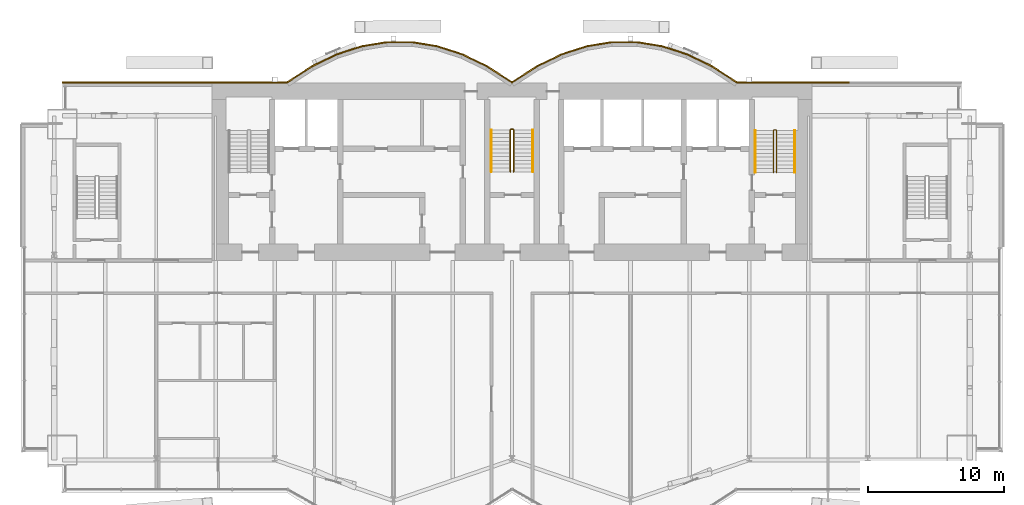
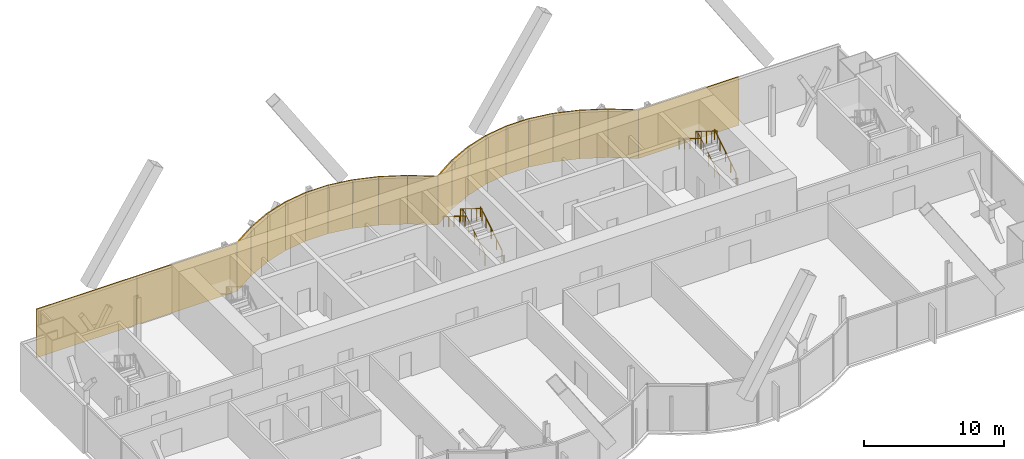
# One storey, part 19 of 20: 21 coverings, 6 railings.
"""IFC4 building model written with IfcOpenShell, lengths in metres."""

from ifc_helpers import new_model, si_unit, direction, frame, origin, origin_2d, place, context, subcontext, project, spatial, rectangle, circle, extrude, material, layer, layer_set, type_object, element, save


model = new_model("IFC4")

# Units and contexts
model_context = context("Model", 3, precision=1e-05, world=origin(), true_north=direction((0.0, 1.0)))
body_context = subcontext(model_context, "Body", "Model", "MODEL_VIEW")
ifc_project = project(units=[si_unit("LENGTHUNIT", "METRE"), si_unit("AREAUNIT", "SQUARE_METRE"), si_unit("VOLUMEUNIT", "CUBIC_METRE"), si_unit("PLANEANGLEUNIT", "RADIAN"), si_unit("MASSUNIT", "GRAM", prefix="KILO")], contexts=[model_context])

# Site, building, storey
site_placement = place(None, origin())
site = spatial("IfcSite", under=ifc_project, at=site_placement, CompositionType="ELEMENT")
building_placement = place(site_placement, origin())
building = spatial("IfcBuilding", under=site, at=building_placement, Name="Bicima Exchange Tower", CompositionType="ELEMENT")
storey_placement = place(building_placement, frame((0.0, 0.0, 245.60009765625)))
storey = spatial("IfcBuildingStorey", under=building, at=storey_placement, Name="L55", CompositionType="ELEMENT", Elevation=245.60009765625)

# Coverings
ifc_material_1 = material(Name="Bronze metal cladding")
ifc_layer_1 = layer(ifc_material_1, 0.004)
ifc_material_2 = material(Name="Ventilated cavity")
ifc_layer_2 = layer(ifc_material_2, 0.06)
ifc_material_3 = material(Name="Galvanised steel rail and mineral wool", Category="steel")
ifc_layer_3 = layer(ifc_material_3, 0.036)
ifc_layer_set = layer_set([ifc_layer_1, ifc_layer_2, ifc_layer_3], Name="Ventilated cavity")
covering_type = type_object("IfcCoveringType", Name="Bronze metal cladding panel 100", PredefinedType="CLADDING", material=ifc_layer_set)
covering_1_placement = place(storey_placement, frame((20.625, 0.050048828125, -0.14990234375), z_axis=(0.0, 0.0, 1.0), x_axis=(-1.0, 0.0, 0.0)))
element("IfcCovering", 1, at=covering_1_placement, inside=storey, type_object=covering_type, Name="Bronze cladding L55 1.2", PredefinedType="CLADDING", context=body_context, shape_type="SweptSolid", body=[
    extrude(rectangle(XDim=8.25, YDim=0.10009765625, at=origin_2d()), origin(), (0.0, 0.0, 1.0), 4.199951171875),
])
covering_2_placement = place(storey_placement, frame((15.610595703125, 0.634521484375, -0.14990234375), z_axis=(0.0, 0.0, 1.0), x_axis=(-0.839790466384, 0.542910648791, 0.0)))
element("IfcCovering", 2, at=covering_2_placement, inside=storey, type_object=covering_type, Name="Bronze cladding L55 2.1", PredefinedType="CLADDING", context=body_context, shape_type="SweptSolid", body=[
    extrude(rectangle(XDim=2.18310546875, YDim=0.10009765625, at=origin_2d()), origin(), (0.0, 0.0, 1.0), 4.199951171875),
])
covering_3_placement = place(storey_placement, frame((13.771728515625, 1.674560546875, -0.14990234375), z_axis=(0.0, 0.0, 1.0), x_axis=(-0.899818346812, 0.436264762204, 0.0)))
element("IfcCovering", 3, at=covering_3_placement, inside=storey, type_object=covering_type, Name="Bronze cladding L55 3.1", PredefinedType="CLADDING", context=body_context, shape_type="SweptSolid", body=[
    extrude(rectangle(XDim=2.03759765625, YDim=0.10009765625, at=origin_2d()), origin(), (0.0, 0.0, 1.0), 4.199951171875),
])
covering_4_placement = place(storey_placement, frame((11.931884765625, 2.41796875, -0.14990234375), z_axis=(0.0, 0.0, 1.0), x_axis=(-0.951524642381, 0.307572519808, 0.0)))
element("IfcCovering", 4, at=covering_4_placement, inside=storey, type_object=covering_type, Name="Bronze cladding L55 4.1", PredefinedType="CLADDING", context=body_context, shape_type="SweptSolid", body=[
    extrude(rectangle(XDim=1.9267578125, YDim=0.10009765625, at=origin_2d()), origin(), (0.0, 0.0, 1.0), 4.199951171875),
])
covering_5_placement = place(storey_placement, frame((10.09130859375, 2.8642578125, -0.14990234375), z_axis=(0.0, 0.0, 1.0), x_axis=(-0.987189786347, 0.159550386184, 0.0)))
element("IfcCovering", 5, at=covering_5_placement, inside=storey, type_object=covering_type, Name="Bronze cladding L55 5.1", PredefinedType="CLADDING", context=body_context, shape_type="SweptSolid", body=[
    extrude(rectangle(XDim=1.857177734375, YDim=0.10009765625, at=origin_2d()), origin(), (0.0, 0.0, 1.0), 4.199951171875),
])
covering_6_placement = place(storey_placement, frame((8.25, 3.012939453125, -0.14990234375), z_axis=(0.0, 0.0, 1.0), x_axis=(-1.0, 0.0, 0.0)))
element("IfcCovering", 6, at=covering_6_placement, inside=storey, type_object=covering_type, Name="Bronze cladding L55 6.1", PredefinedType="CLADDING", context=body_context, shape_type="SweptSolid", body=[
    extrude(rectangle(XDim=1.83349609375, YDim=0.10009765625, at=origin_2d()), origin(), (0.0, 0.0, 1.0), 4.199951171875),
])
covering_7_placement = place(storey_placement, frame((6.40869140625, 2.8642578125, -0.14990234375), z_axis=(0.0, 0.0, 1.0), x_axis=(-0.987189786347, -0.159550386184, 0.0)))
element("IfcCovering", 7, at=covering_7_placement, inside=storey, type_object=covering_type, Name="Bronze cladding L55 7.1", PredefinedType="CLADDING", context=body_context, shape_type="SweptSolid", body=[
    extrude(rectangle(XDim=1.857177734375, YDim=0.10009765625, at=origin_2d()), origin(), (0.0, 0.0, 1.0), 4.199951171875),
])
covering_8_placement = place(storey_placement, frame((4.568115234375, 2.41796875, -0.14990234375), z_axis=(0.0, 0.0, 1.0), x_axis=(-0.951524642381, -0.307572519808, 0.0)))
element("IfcCovering", 8, at=covering_8_placement, inside=storey, type_object=covering_type, Name="Bronze cladding L55 8.1", PredefinedType="CLADDING", context=body_context, shape_type="SweptSolid", body=[
    extrude(rectangle(XDim=1.9267578125, YDim=0.10009765625, at=origin_2d()), origin(), (0.0, 0.0, 1.0), 4.199951171875),
])
covering_9_placement = place(storey_placement, frame((2.728271484375, 1.674560546875, -0.14990234375), z_axis=(0.0, 0.0, 1.0), x_axis=(-0.899818346812, -0.436264762204, 0.0)))
element("IfcCovering", 9, at=covering_9_placement, inside=storey, type_object=covering_type, Name="Bronze cladding L55 9.1", PredefinedType="CLADDING", context=body_context, shape_type="SweptSolid", body=[
    extrude(rectangle(XDim=2.03759765625, YDim=0.10009765625, at=origin_2d()), origin(), (0.0, 0.0, 1.0), 4.199951171875),
])
for number, where, z_axis, x_axis, name in (
    (10, (0.889404296875, 0.634521484375, -0.14990234375), (0.0, 0.0, 1.0), (-0.839790466384, -0.542910648791, 0.0), "Bronze cladding L55 10.1"),
    (11, (-0.889404296875, 0.634521484375, -0.14990234375), (0.0, 0.0, 1.0), (-0.839790466384, 0.542910648791, 0.0), "Bronze cladding L55 11.1"),
):
    element("IfcCovering", number, at=place(storey_placement, frame(where, z_axis=z_axis, x_axis=x_axis)), inside=storey, type_object=covering_type, Name=name, PredefinedType="CLADDING", context=body_context, shape_type="SweptSolid", body=[
        extrude(rectangle(XDim=2.18310546875, YDim=0.10009765625, at=origin_2d()), origin(), (0.0, 0.0, 1.0), 4.199951171875),
    ])
covering_10_placement = place(storey_placement, frame((-2.728271484375, 1.674560546875, -0.14990234375), z_axis=(0.0, 0.0, 1.0), x_axis=(-0.899818346812, 0.436264762204, 0.0)))
element("IfcCovering", 12, at=covering_10_placement, inside=storey, type_object=covering_type, Name="Bronze cladding L55 12.1", PredefinedType="CLADDING", context=body_context, shape_type="SweptSolid", body=[
    extrude(rectangle(XDim=2.03759765625, YDim=0.10009765625, at=origin_2d()), origin(), (0.0, 0.0, 1.0), 4.199951171875),
])
covering_11_placement = place(storey_placement, frame((-4.568115234375, 2.41796875, -0.14990234375), z_axis=(0.0, 0.0, 1.0), x_axis=(-0.951524642381, 0.307572519808, 0.0)))
element("IfcCovering", 13, at=covering_11_placement, inside=storey, type_object=covering_type, Name="Bronze cladding L55 13.1", PredefinedType="CLADDING", context=body_context, shape_type="SweptSolid", body=[
    extrude(rectangle(XDim=1.9267578125, YDim=0.10009765625, at=origin_2d()), origin(), (0.0, 0.0, 1.0), 4.199951171875),
])
covering_12_placement = place(storey_placement, frame((-6.40869140625, 2.8642578125, -0.14990234375), z_axis=(0.0, 0.0, 1.0), x_axis=(-0.987189786347, 0.159550386184, 0.0)))
element("IfcCovering", 14, at=covering_12_placement, inside=storey, type_object=covering_type, Name="Bronze cladding L55 14.1", PredefinedType="CLADDING", context=body_context, shape_type="SweptSolid", body=[
    extrude(rectangle(XDim=1.857177734375, YDim=0.10009765625, at=origin_2d()), origin(), (0.0, 0.0, 1.0), 4.199951171875),
])
covering_13_placement = place(storey_placement, frame((-8.25, 3.012939453125, -0.14990234375), z_axis=(0.0, 0.0, 1.0), x_axis=(-1.0, 0.0, 0.0)))
element("IfcCovering", 15, at=covering_13_placement, inside=storey, type_object=covering_type, Name="Bronze cladding L55 15.1", PredefinedType="CLADDING", context=body_context, shape_type="SweptSolid", body=[
    extrude(rectangle(XDim=1.83349609375, YDim=0.10009765625, at=origin_2d()), origin(), (0.0, 0.0, 1.0), 4.199951171875),
])
covering_14_placement = place(storey_placement, frame((-10.09130859375, 2.8642578125, -0.14990234375), z_axis=(0.0, 0.0, 1.0), x_axis=(-0.987189786347, -0.159550386184, 0.0)))
element("IfcCovering", 16, at=covering_14_placement, inside=storey, type_object=covering_type, Name="Bronze cladding L55 16.1", PredefinedType="CLADDING", context=body_context, shape_type="SweptSolid", body=[
    extrude(rectangle(XDim=1.857177734375, YDim=0.10009765625, at=origin_2d()), origin(), (0.0, 0.0, 1.0), 4.199951171875),
])
covering_15_placement = place(storey_placement, frame((-11.931884765625, 2.41796875, -0.14990234375), z_axis=(0.0, 0.0, 1.0), x_axis=(-0.951524642381, -0.307572519808, 0.0)))
element("IfcCovering", 17, at=covering_15_placement, inside=storey, type_object=covering_type, Name="Bronze cladding L55 17.1", PredefinedType="CLADDING", context=body_context, shape_type="SweptSolid", body=[
    extrude(rectangle(XDim=1.9267578125, YDim=0.10009765625, at=origin_2d()), origin(), (0.0, 0.0, 1.0), 4.199951171875),
])
covering_16_placement = place(storey_placement, frame((-13.771728515625, 1.674560546875, -0.14990234375), z_axis=(0.0, 0.0, 1.0), x_axis=(-0.899818346812, -0.436264762204, 0.0)))
element("IfcCovering", 18, at=covering_16_placement, inside=storey, type_object=covering_type, Name="Bronze cladding L55 18.1", PredefinedType="CLADDING", context=body_context, shape_type="SweptSolid", body=[
    extrude(rectangle(XDim=2.03759765625, YDim=0.10009765625, at=origin_2d()), origin(), (0.0, 0.0, 1.0), 4.199951171875),
])
covering_17_placement = place(storey_placement, frame((-15.610595703125, 0.634521484375, -0.14990234375), z_axis=(0.0, 0.0, 1.0), x_axis=(-0.839790466384, -0.542910648791, 0.0)))
element("IfcCovering", 19, at=covering_17_placement, inside=storey, type_object=covering_type, Name="Bronze cladding L55 19.1", PredefinedType="CLADDING", context=body_context, shape_type="SweptSolid", body=[
    extrude(rectangle(XDim=2.18310546875, YDim=0.10009765625, at=origin_2d()), origin(), (0.0, 0.0, 1.0), 4.199951171875),
])
for number, where, z_axis, x_axis, name in (
    (20, (-20.625, 0.050048828125, -0.14990234375), (0.0, 0.0, 1.0), (-1.0, 0.0, 0.0), "Bronze cladding L55 20.1"),
    (21, (-28.875, 0.050048828125, -0.14990234375), (0.0, 0.0, 1.0), (-1.0, 0.0, 0.0), "Bronze cladding L55 20.2"),
):
    element("IfcCovering", number, at=place(storey_placement, frame(where, z_axis=z_axis, x_axis=x_axis)), inside=storey, type_object=covering_type, Name=name, PredefinedType="CLADDING", context=body_context, shape_type="SweptSolid", body=[
        extrude(rectangle(XDim=8.25, YDim=0.10009765625, at=origin_2d()), origin(), (0.0, 0.0, 1.0), 4.199951171875),
    ])

# Railings
ifc_material_4 = material(Name="Stainless steel", Category="steel")
railing_type_1 = type_object("IfcRailingType", Name="Stair guard 1100", PredefinedType="GUARDRAIL", material=ifc_material_4)
railing_1_placement = place(storey_placement, frame((0.125, -6.5, 0.1748046875)))
element("IfcRailing", 22, at=railing_1_placement, inside=storey, type_object=railing_type_1, Name="L55 ST-C stair guard 1", PredefinedType="GUARDRAIL", context=body_context, shape_type="SweptSolid", body=[
    extrude(circle(Radius=0.02392578125, at=origin_2d()), frame((0.0, 0.0, 1.076171875), z_axis=(0.0, 0.847998304005, 0.529998940003), x_axis=(-1.0, 0.0, 0.0)), (0.0, 0.0, 1.0), 3.632080078125),
    extrude(circle(Radius=0.02392578125, at=origin_2d()), frame((0.0, 3.080078125, 3.0009765625), z_axis=(-0.708833529934, 0.705375805398, 0.0), x_axis=(-0.705375805398, -0.708833529934, 0.0)), (0.0, 0.0, 1.0), 0.070556640625),
    extrude(circle(Radius=0.02392578125, at=origin_2d()), frame((-0.050048828125, 3.1298828125, 3.0009765625), z_axis=(-1.0, 0.0, 0.0), x_axis=(0.0, -1.0, 0.0)), (0.0, 0.0, 1.0), 0.14990234375),
    extrude(circle(Radius=0.02392578125, at=origin_2d()), frame((-0.199951171875, 3.1298828125, 3.0009765625), z_axis=(-0.265155923931, -0.263862480399, 0.927399011991), x_axis=(0.705375805398, -0.708833529934, 0.0)), (0.0, 0.0, 1.0), 0.188720703125),
    extrude(circle(Radius=0.02392578125, at=origin_2d()), frame((-0.25, 3.080078125, 3.17626953125), z_axis=(0.0, -0.847998304005, 0.529998940003), x_axis=(1.0, 0.0, 0.0)), (0.0, 0.0, 1.0), 3.632080078125),
    extrude(circle(Radius=0.02099609375, at=origin_2d()), origin(), (0.0, 0.0, 1.0), 1.052001953125),
    extrude(circle(Radius=0.02099609375, at=origin_2d()), frame((0.0, 0.77001953125, 0.481201171875)), (0.0, 0.0, 1.0), 1.052001953125),
    extrude(circle(Radius=0.02099609375, at=origin_2d()), frame((0.0, 1.5400390625, 0.96240234375)), (0.0, 0.0, 1.0), 1.052001953125),
    extrude(circle(Radius=0.02099609375, at=origin_2d()), frame((0.0, 2.31005859375, 1.44384765625)), (0.0, 0.0, 1.0), 1.052001953125),
    extrude(circle(Radius=0.02099609375, at=origin_2d()), frame((0.0, 3.080078125, 1.925048828125)), (0.0, 0.0, 1.0), 1.052001953125),
    extrude(circle(Radius=0.02099609375, at=origin_2d()), frame((-0.050048828125, 3.1298828125, 1.925048828125)), (0.0, 0.0, 1.0), 1.052001953125),
    extrude(circle(Radius=0.02099609375, at=origin_2d()), frame((-0.199951171875, 3.1298828125, 1.925048828125)), (0.0, 0.0, 1.0), 1.052001953125),
    extrude(circle(Radius=0.02099609375, at=origin_2d()), frame((-0.25, 3.080078125, 2.10009765625)), (0.0, 0.0, 1.0), 1.052001953125),
    extrude(circle(Radius=0.02099609375, at=origin_2d()), frame((-0.25, 2.31005859375, 2.581298828125)), (0.0, 0.0, 1.0), 1.052001953125),
    extrude(circle(Radius=0.02099609375, at=origin_2d()), frame((-0.25, 1.5400390625, 3.0625)), (0.0, 0.0, 1.0), 1.052001953125),
    extrude(circle(Radius=0.02099609375, at=origin_2d()), frame((-0.25, 0.77001953125, 3.5439453125)), (0.0, 0.0, 1.0), 1.052001953125),
    extrude(circle(Radius=0.02099609375, at=origin_2d()), frame((-0.25, 0.0, 4.025146484375)), (0.0, 0.0, 1.0), 1.052001953125),
])
railing_2_placement = place(storey_placement, frame((19.39990234375, -6.550048828125, 0.1748046875)))
element("IfcRailing", 23, at=railing_2_placement, inside=storey, type_object=railing_type_1, Name="L55 ST-E stair guard 1", PredefinedType="GUARDRAIL", context=body_context, shape_type="SweptSolid", body=[
    extrude(circle(Radius=0.02392578125, at=origin_2d()), frame((0.0, 0.0, 1.076171875), z_axis=(0.0, 0.847998304005, 0.529998940003), x_axis=(-1.0, 0.0, 0.0)), (0.0, 0.0, 1.0), 3.632080078125),
    extrude(circle(Radius=0.02392578125, at=origin_2d()), frame((0.0, 3.080078125, 3.0009765625), z_axis=(-0.705375805398, 0.708833529934, 0.0), x_axis=(-0.708833529934, -0.705375805398, 0.0)), (0.0, 0.0, 1.0), 0.070556640625),
    extrude(circle(Radius=0.02392578125, at=origin_2d()), frame((-0.0498046875, 3.130126953125, 3.0009765625), z_axis=(-1.0, 0.0, 0.0), x_axis=(0.0, -1.0, 0.0)), (0.0, 0.0, 1.0), 0.10009765625),
    extrude(circle(Radius=0.02392578125, at=origin_2d()), frame((-0.14990234375, 3.130126953125, 3.0009765625), z_axis=(-0.265065253269, -0.265065253269, 0.927081885822), x_axis=(0.707106781187, -0.707106781187, 0.0)), (0.0, 0.0, 1.0), 0.188720703125),
    extrude(circle(Radius=0.02392578125, at=origin_2d()), frame((-0.199951171875, 3.080078125, 3.17626953125), z_axis=(0.0, -0.847998304005, 0.529998940003), x_axis=(1.0, 0.0, 0.0)), (0.0, 0.0, 1.0), 3.632080078125),
    extrude(circle(Radius=0.02099609375, at=origin_2d()), origin(), (0.0, 0.0, 1.0), 1.052001953125),
    extrude(circle(Radius=0.02099609375, at=origin_2d()), frame((0.0, 0.77001953125, 0.481201171875)), (0.0, 0.0, 1.0), 1.052001953125),
    extrude(circle(Radius=0.02099609375, at=origin_2d()), frame((0.0, 1.5400390625, 0.96240234375)), (0.0, 0.0, 1.0), 1.052001953125),
    extrude(circle(Radius=0.02099609375, at=origin_2d()), frame((0.0, 2.31005859375, 1.44384765625)), (0.0, 0.0, 1.0), 1.052001953125),
    extrude(circle(Radius=0.02099609375, at=origin_2d()), frame((0.0, 3.080078125, 1.925048828125)), (0.0, 0.0, 1.0), 1.052001953125),
    extrude(circle(Radius=0.02099609375, at=origin_2d()), frame((-0.0498046875, 3.130126953125, 1.925048828125)), (0.0, 0.0, 1.0), 1.052001953125),
    extrude(circle(Radius=0.02099609375, at=origin_2d()), frame((-0.14990234375, 3.130126953125, 1.925048828125)), (0.0, 0.0, 1.0), 1.052001953125),
    extrude(circle(Radius=0.02099609375, at=origin_2d()), frame((-0.199951171875, 3.080078125, 2.10009765625)), (0.0, 0.0, 1.0), 1.052001953125),
    extrude(circle(Radius=0.02099609375, at=origin_2d()), frame((-0.199951171875, 2.31005859375, 2.581298828125)), (0.0, 0.0, 1.0), 1.052001953125),
    extrude(circle(Radius=0.02099609375, at=origin_2d()), frame((-0.199951171875, 1.5400390625, 3.0625)), (0.0, 0.0, 1.0), 1.052001953125),
    extrude(circle(Radius=0.02099609375, at=origin_2d()), frame((-0.199951171875, 0.77001953125, 3.5439453125)), (0.0, 0.0, 1.0), 1.052001953125),
    extrude(circle(Radius=0.02099609375, at=origin_2d()), frame((-0.199951171875, 0.0, 4.025146484375)), (0.0, 0.0, 1.0), 1.052001953125),
])
railing_type_2 = type_object("IfcRailingType", Name="Stair handrail 900", PredefinedType="HANDRAIL", material=ifc_material_4)
railing_3_placement = place(storey_placement, frame((1.52490234375, -6.5, 0.1748046875)))
element("IfcRailing", 24, at=railing_3_placement, inside=storey, type_object=railing_type_2, Name="L55 ST-C stair handrail 1", PredefinedType="HANDRAIL", context=body_context, shape_type="SweptSolid", body=[
    extrude(circle(Radius=0.02392578125, at=origin_2d()), frame((0.0, 0.0, 0.8759765625), z_axis=(0.0, 0.847998304005, 0.529998940003), x_axis=(-1.0, 0.0, 0.0)), (0.0, 0.0, 1.0), 3.632080078125),
    extrude(circle(Radius=0.02099609375, at=origin_2d()), origin(), (0.0, 0.0, 1.0), 0.851806640625),
    extrude(circle(Radius=0.02099609375, at=origin_2d()), frame((0.0, 0.77001953125, 0.481201171875)), (0.0, 0.0, 1.0), 0.851806640625),
    extrude(circle(Radius=0.02099609375, at=origin_2d()), frame((0.0, 1.5400390625, 0.96240234375)), (0.0, 0.0, 1.0), 0.851806640625),
    extrude(circle(Radius=0.02099609375, at=origin_2d()), frame((0.0, 2.31005859375, 1.44384765625)), (0.0, 0.0, 1.0), 0.851806640625),
    extrude(circle(Radius=0.02099609375, at=origin_2d()), frame((0.0, 3.080078125, 1.925048828125)), (0.0, 0.0, 1.0), 0.851806640625),
])
railing_4_placement = place(storey_placement, frame((-1.52490234375, -3.419921875, 2.303955078125)))
element("IfcRailing", 25, at=railing_4_placement, inside=storey, type_object=railing_type_2, Name="L55 ST-C stair handrail 2", PredefinedType="HANDRAIL", context=body_context, shape_type="SweptSolid", body=[
    extrude(circle(Radius=0.02392578125, at=origin_2d()), frame((0.0, 0.0, 0.8759765625), z_axis=(0.0, -0.847998304005, 0.529998940003), x_axis=(1.0, 0.0, 0.0)), (0.0, 0.0, 1.0), 3.632080078125),
    extrude(circle(Radius=0.02099609375, at=origin_2d()), origin(), (0.0, 0.0, 1.0), 0.851806640625),
    extrude(circle(Radius=0.02099609375, at=origin_2d()), frame((0.0, -0.77001953125, 0.481201171875)), (0.0, 0.0, 1.0), 0.851806640625),
    extrude(circle(Radius=0.02099609375, at=origin_2d()), frame((0.0, -1.5400390625, 0.96240234375)), (0.0, 0.0, 1.0), 0.851806640625),
    extrude(circle(Radius=0.02099609375, at=origin_2d()), frame((0.0, -2.31005859375, 1.44384765625)), (0.0, 0.0, 1.0), 0.851806640625),
    extrude(circle(Radius=0.02099609375, at=origin_2d()), frame((0.0, -3.080078125, 1.925048828125)), (0.0, 0.0, 1.0), 0.851806640625),
])
railing_5_placement = place(storey_placement, frame((20.75, -6.550048828125, 0.1748046875)))
element("IfcRailing", 26, at=railing_5_placement, inside=storey, type_object=railing_type_2, Name="L55 ST-E stair handrail 1", PredefinedType="HANDRAIL", context=body_context, shape_type="SweptSolid", body=[
    extrude(circle(Radius=0.02392578125, at=origin_2d()), frame((0.0, 0.0, 0.8759765625), z_axis=(0.0, 0.847998304005, 0.529998940003), x_axis=(-1.0, 0.0, 0.0)), (0.0, 0.0, 1.0), 3.632080078125),
    extrude(circle(Radius=0.02099609375, at=origin_2d()), origin(), (0.0, 0.0, 1.0), 0.851806640625),
    extrude(circle(Radius=0.02099609375, at=origin_2d()), frame((0.0, 0.77001953125, 0.481201171875)), (0.0, 0.0, 1.0), 0.851806640625),
    extrude(circle(Radius=0.02099609375, at=origin_2d()), frame((0.0, 1.5400390625, 0.96240234375)), (0.0, 0.0, 1.0), 0.851806640625),
    extrude(circle(Radius=0.02099609375, at=origin_2d()), frame((0.0, 2.31005859375, 1.44384765625)), (0.0, 0.0, 1.0), 0.851806640625),
    extrude(circle(Radius=0.02099609375, at=origin_2d()), frame((0.0, 3.080078125, 1.925048828125)), (0.0, 0.0, 1.0), 0.851806640625),
])
railing_6_placement = place(storey_placement, frame((17.85009765625, -3.469970703125, 2.303955078125)))
element("IfcRailing", 27, at=railing_6_placement, inside=storey, type_object=railing_type_2, Name="L55 ST-E stair handrail 2", PredefinedType="HANDRAIL", context=body_context, shape_type="SweptSolid", body=[
    extrude(circle(Radius=0.02392578125, at=origin_2d()), frame((0.0, 0.0, 0.8759765625), z_axis=(0.0, -0.847998304005, 0.529998940003), x_axis=(1.0, 0.0, 0.0)), (0.0, 0.0, 1.0), 3.632080078125),
    extrude(circle(Radius=0.02099609375, at=origin_2d()), origin(), (0.0, 0.0, 1.0), 0.851806640625),
    extrude(circle(Radius=0.02099609375, at=origin_2d()), frame((0.0, -0.77001953125, 0.481201171875)), (0.0, 0.0, 1.0), 0.851806640625),
    extrude(circle(Radius=0.02099609375, at=origin_2d()), frame((0.0, -1.5400390625, 0.96240234375)), (0.0, 0.0, 1.0), 0.851806640625),
    extrude(circle(Radius=0.02099609375, at=origin_2d()), frame((0.0, -2.31005859375, 1.44384765625)), (0.0, 0.0, 1.0), 0.851806640625),
    extrude(circle(Radius=0.02099609375, at=origin_2d()), frame((0.0, -3.080078125, 1.925048828125)), (0.0, 0.0, 1.0), 0.851806640625),
])

save(model, "model.ifc")
